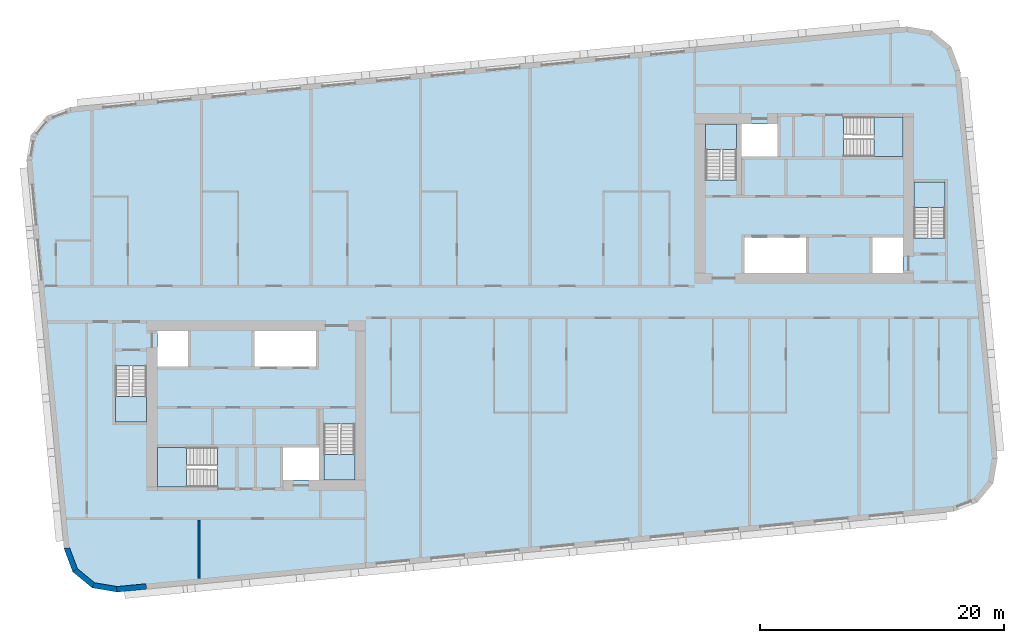
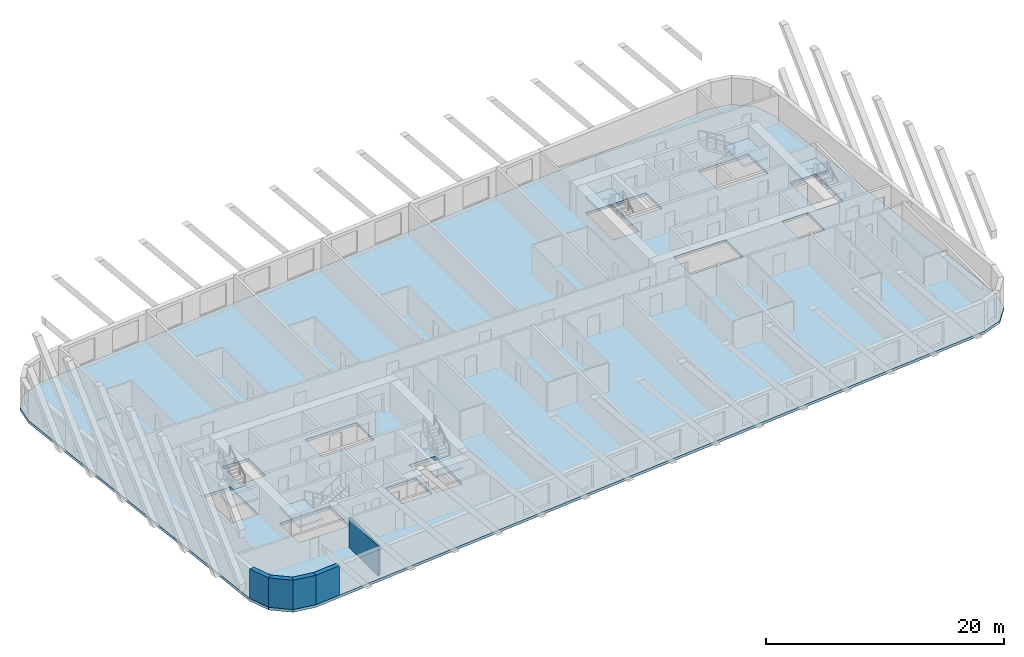
# One storey, part 1 of 12: 7 slabs, 5 walls, 6 elements without a shape of their own.
"""IFC4 building model written with IfcOpenShell, lengths in metres."""

from ifc_helpers import new_model, si_unit, direction, frame, frame_2d, origin, place, context, subcontext, project, spatial, polyline, rectangle, outline, extrude, material, layer, layer_set, type_object, element, aggregate, save


model = new_model("IFC4")

# Units and contexts
model_context = context("Model", 3, precision=1e-05, world=origin(), true_north=direction((0.0, 1.0)))
body_context = subcontext(model_context, "Body", "Model", "MODEL_VIEW")
ifc_project = project(units=[si_unit("LENGTHUNIT", "METRE"), si_unit("AREAUNIT", "SQUARE_METRE"), si_unit("VOLUMEUNIT", "CUBIC_METRE"), si_unit("PLANEANGLEUNIT", "RADIAN"), si_unit("MASSUNIT", "GRAM", prefix="KILO")], contexts=[model_context])

# Site, building, storey
site_placement = place(None, origin())
site = spatial("IfcSite", under=ifc_project, at=site_placement, CompositionType="ELEMENT")
building_placement = place(site_placement, origin())
building = spatial("IfcBuilding", under=site, at=building_placement, Name="Kajstack Hotel Tower", CompositionType="ELEMENT")
storey_placement = place(building_placement, frame((0.0, 0.0, 268.5)))
storey = spatial("IfcBuildingStorey", under=building, at=storey_placement, Name="L66", CompositionType="ELEMENT", Elevation=268.5)

# Slab
ifc_material_1 = material(Name="Concrete C40/50", Category="concrete")
ifc_layer_1 = layer(ifc_material_1, 0.280029296875)
ifc_layer_set_1 = layer_set([ifc_layer_1], Name="RC slab 280 C40/50 guest")
slab_type_1 = type_object("IfcSlabType", Name="RC slab 280 C40/50 guest", PredefinedType="FLOOR", material=ifc_layer_set_1)
slab_1_placement = place(storey_placement, frame((0.0, 0.0, -0.280029296875)))
element("IfcSlab", 1, at=slab_1_placement, inside=storey, type_object=slab_type_1, Name="S-slab-L66", PredefinedType="FLOOR", context=body_context, shape_type="SweptSolid", body=[
    extrude(outline(polyline([(-41.356201171875, 11.63623046875), (-38.289306640625, -20.21630859375), (-37.564208984375, -22.15576171875), (-35.96630859375, -23.472900390625), (-33.92431640625, -23.814697265625), (34.758056640625, -17.201171875), (36.697509765625, -16.47607421875), (38.014404296875, -14.87841796875), (38.356201171875, -12.836181640625), (35.289306640625, 19.016357421875), (34.564208984375, 20.955810546875), (32.96630859375, 22.27294921875), (30.92431640625, 22.614501953125), (-37.758056640625, 16.001220703125), (-39.697509765625, 15.276123046875), (-41.014404296875, 13.678466796875), (-41.356201171875, 11.63623046875)]), holes=[polyline([(-22.64990234375, -5.300048828125), (-22.64990234375, -2.39990234375), (-17.60009765625, -2.39990234375), (-17.60009765625, -5.300048828125), (-22.64990234375, -5.300048828125)]), polyline([(-20.300048828125, -14.60009765625), (-17.35009765625, -14.60009765625), (-17.35009765625, -11.949951171875), (-20.300048828125, -11.949951171875), (-20.300048828125, -14.60009765625)]), polyline([(-30.60009765625, -5.300048828125), (-28.10009765625, -5.300048828125), (-28.10009765625, -2.39990234375), (-30.60009765625, -2.39990234375), (-30.60009765625, -5.300048828125)]), polyline([(17.60009765625, 2.39990234375), (17.60009765625, 5.300048828125), (22.64990234375, 5.300048828125), (22.64990234375, 2.39990234375), (17.60009765625, 2.39990234375)]), polyline([(20.300048828125, 14.60009765625), (17.35009765625, 14.60009765625), (17.35009765625, 11.949951171875), (20.300048828125, 11.949951171875), (20.300048828125, 14.60009765625)]), polyline([(30.60009765625, 5.300048828125), (28.10009765625, 5.300048828125), (28.10009765625, 2.39990234375), (30.60009765625, 2.39990234375), (30.60009765625, 5.300048828125)]), polyline([(-34.050048828125, -9.85009765625), (-31.5, -9.85009765625), (-31.5, -5.25), (-34.050048828125, -5.25), (-34.050048828125, -9.85009765625)]), polyline([(-16.949951171875, -14.60009765625), (-14.39990234375, -14.60009765625), (-14.39990234375, -10.0), (-16.949951171875, -10.0), (-16.949951171875, -14.60009765625)]), polyline([(-30.60009765625, -15.199951171875), (-25.699951171875, -15.199951171875), (-25.699951171875, -11.949951171875), (-30.60009765625, -11.949951171875), (-30.60009765625, -15.199951171875)]), polyline([(34.050048828125, 9.85009765625), (31.5, 9.85009765625), (31.5, 5.25), (34.050048828125, 5.25), (34.050048828125, 9.85009765625)]), polyline([(16.949951171875, 14.60009765625), (14.39990234375, 14.60009765625), (14.39990234375, 10.0), (16.949951171875, 10.0), (16.949951171875, 14.60009765625)]), polyline([(30.60009765625, 15.199951171875), (25.699951171875, 15.199951171875), (25.699951171875, 11.949951171875), (30.60009765625, 11.949951171875), (30.60009765625, 15.199951171875)])]), origin(), (0.0, 0.0, 1.0), 0.280029296875),
])

# Stair, slab
stair_type_1 = type_object("IfcStairType", Name="Exit stair 1200", PredefinedType="HALF_TURN_STAIR", material=ifc_material_1)
stair_1_placement = place(storey_placement, origin())
stair_1 = element("IfcStair", 2, at=stair_1_placement, inside=storey, type_object=stair_type_1, Name="L66 stair W1", PredefinedType="HALF_TURN_STAIR")
ifc_layer_2 = layer(ifc_material_1, 0.199951171875)
ifc_layer_set_2 = layer_set([ifc_layer_2], Name="Stair landing 200")
slab_type_2 = type_object("IfcSlabType", Name="Stair landing 200", PredefinedType="LANDING", material=ifc_layer_set_2)
slab_2_placement = place(storey_placement, frame((0.0, 0.0, 1.449951171875)))
slab_2 = element("IfcSlab", 3, at=slab_2_placement, type_object=slab_type_2, Name="W1 landing 1", PredefinedType="LANDING", context=body_context, shape_type="SweptSolid", body=[
    extrude(outline(polyline([(-34.050048828125, -7.77001953125), (-34.050048828125, -9.85009765625), (-31.5, -9.85009765625), (-31.5, -7.77001953125), (-34.050048828125, -7.77001953125)])), origin(), (0.0, 0.0, 1.0), 0.199951171875),
])
aggregate(stair_1, [slab_2])

stair_2_placement = place(storey_placement, origin())
stair_2 = element("IfcStair", 4, at=stair_2_placement, inside=storey, type_object=stair_type_1, Name="L66 stair W2", PredefinedType="HALF_TURN_STAIR")
slab_3_placement = place(storey_placement, frame((0.0, 0.0, 1.449951171875)))
slab_3 = element("IfcSlab", 5, at=slab_3_placement, type_object=slab_type_2, Name="W2 landing 1", PredefinedType="LANDING", context=body_context, shape_type="SweptSolid", body=[
    extrude(outline(polyline([(-16.949951171875, -12.52001953125), (-16.949951171875, -14.60009765625), (-14.39990234375, -14.60009765625), (-14.39990234375, -12.52001953125), (-16.949951171875, -12.52001953125)])), origin(), (0.0, 0.0, 1.0), 0.199951171875),
])
aggregate(stair_2, [slab_3])

stair_type_2 = type_object("IfcStairType", Name="Exit stair 1500", PredefinedType="HALF_TURN_STAIR", material=ifc_material_1)
stair_3_placement = place(storey_placement, origin())
stair_3 = element("IfcStair", 6, at=stair_3_placement, inside=storey, type_object=stair_type_2, Name="L66 stair W3", PredefinedType="HALF_TURN_STAIR")
slab_4_placement = place(storey_placement, frame((0.0, 0.0, 1.449951171875)))
slab_4 = element("IfcSlab", 7, at=slab_4_placement, type_object=slab_type_2, Name="W3 landing 1", PredefinedType="LANDING", context=body_context, shape_type="SweptSolid", body=[
    extrude(outline(polyline([(-28.219970703125, -11.949951171875), (-30.60009765625, -11.949951171875), (-30.60009765625, -15.199951171875), (-28.219970703125, -15.199951171875), (-28.219970703125, -11.949951171875)])), origin(), (0.0, 0.0, 1.0), 0.199951171875),
])
aggregate(stair_3, [slab_4])

stair_4_placement = place(storey_placement, origin())
stair_4 = element("IfcStair", 8, at=stair_4_placement, inside=storey, type_object=stair_type_1, Name="L66 stair E1", PredefinedType="HALF_TURN_STAIR")
slab_5_placement = place(storey_placement, frame((0.0, 0.0, 1.449951171875)))
slab_5 = element("IfcSlab", 9, at=slab_5_placement, type_object=slab_type_2, Name="E1 landing 1", PredefinedType="LANDING", context=body_context, shape_type="SweptSolid", body=[
    extrude(outline(polyline([(34.050048828125, 7.77001953125), (34.050048828125, 9.85009765625), (31.5, 9.85009765625), (31.5, 7.77001953125), (34.050048828125, 7.77001953125)])), origin(), (0.0, 0.0, 1.0), 0.199951171875),
])
aggregate(stair_4, [slab_5])

stair_5_placement = place(storey_placement, origin())
stair_5 = element("IfcStair", 10, at=stair_5_placement, inside=storey, type_object=stair_type_1, Name="L66 stair E2", PredefinedType="HALF_TURN_STAIR")
slab_6_placement = place(storey_placement, frame((0.0, 0.0, 1.449951171875)))
slab_6 = element("IfcSlab", 11, at=slab_6_placement, type_object=slab_type_2, Name="E2 landing 1", PredefinedType="LANDING", context=body_context, shape_type="SweptSolid", body=[
    extrude(outline(polyline([(16.949951171875, 12.52001953125), (16.949951171875, 14.60009765625), (14.39990234375, 14.60009765625), (14.39990234375, 12.52001953125), (16.949951171875, 12.52001953125)])), origin(), (0.0, 0.0, 1.0), 0.199951171875),
])
aggregate(stair_5, [slab_6])

stair_6_placement = place(storey_placement, origin())
stair_6 = element("IfcStair", 12, at=stair_6_placement, inside=storey, type_object=stair_type_2, Name="L66 stair E3", PredefinedType="HALF_TURN_STAIR")
slab_7_placement = place(storey_placement, frame((0.0, 0.0, 1.449951171875)))
slab_7 = element("IfcSlab", 13, at=slab_7_placement, type_object=slab_type_2, Name="E3 landing 1", PredefinedType="LANDING", context=body_context, shape_type="SweptSolid", body=[
    extrude(outline(polyline([(28.219970703125, 11.949951171875), (30.60009765625, 11.949951171875), (30.60009765625, 15.199951171875), (28.219970703125, 15.199951171875), (28.219970703125, 11.949951171875)])), origin(), (0.0, 0.0, 1.0), 0.199951171875),
])
aggregate(stair_6, [slab_7])

# Walls
ifc_material_2 = material(Name="Terracotta-faced brick masonry", Category="masonry")
ifc_layer_3 = layer(ifc_material_2, 0.449951171875)
ifc_layer_set_3 = layer_set([ifc_layer_3], Name="EW-TERRA")
wall_type_1 = type_object("IfcWallType", Name="EW-TERRA", PredefinedType="SOLIDWALL", material=ifc_layer_set_3)
wall_1_placement = place(storey_placement, frame((-38.078369140625, -20.1376953125, 0.0), z_axis=(0.0, 0.0, 1.0), x_axis=(0.350231589928, -0.936663137642, 0.0)))
element("IfcWall", 14, at=wall_1_placement, inside=storey, type_object=wall_type_1, Name="E-wall-L66-01-00", PredefinedType="SOLIDWALL", context=body_context, shape_type="SweptSolid", body=[
    extrude(outline(polyline([(0.0, -0.22509765625), (2.0703125, -0.22509765625), (1.949951171875, 0.224853515625), (0.120361328125, 0.224853515625), (0.0, -0.22509765625)])), origin(), (0.0, 0.0, 1.0), 3.02001953125),
])
wall_2_placement = place(storey_placement, frame((-37.4208984375, -21.982177734375, 0.0), z_axis=(0.0, 0.0, 1.0), x_axis=(0.771593176315, -0.636116318187, 0.0)))
element("IfcWall", 15, at=wall_2_placement, inside=storey, type_object=wall_type_1, Name="E-wall-L66-02-00", PredefinedType="SOLIDWALL", context=body_context, shape_type="SweptSolid", body=[
    extrude(outline(polyline([(0.0, -0.22509765625), (2.070556640625, -0.22509765625), (1.949951171875, 0.22509765625), (0.12060546875, 0.224853515625), (0.0, -0.22509765625)])), origin(), (0.0, 0.0, 1.0), 3.02001953125),
])
wall_3_placement = place(storey_placement, frame((-35.92919921875, -23.2509765625, 0.0), z_axis=(0.0, 0.0, 1.0), x_axis=(0.986278951104, -0.165087342366, 0.0)))
element("IfcWall", 16, at=wall_3_placement, inside=storey, type_object=wall_type_1, Name="E-wall-L66-03-00", PredefinedType="SOLIDWALL", context=body_context, shape_type="SweptSolid", body=[
    extrude(outline(polyline([(0.0, -0.22509765625), (2.070556640625, -0.224853515625), (1.949951171875, 0.22509765625), (0.12060546875, 0.22509765625), (0.0, -0.22509765625)])), origin(), (0.0, 0.0, 1.0), 3.02001953125),
])
wall_4_placement = place(storey_placement, frame((-33.94580078125, -23.590576171875, 0.0), z_axis=(0.0, 0.0, 1.0), x_axis=(0.995397635156, 0.095830829729, 0.0)))
element("IfcWall", 17, at=wall_4_placement, inside=storey, type_object=wall_type_1, Name="E-wall-L66-04-00", PredefinedType="SOLIDWALL", context=body_context, shape_type="SweptSolid", body=[
    extrude(rectangle(XDim=2.435546875, YDim=0.449951171875, at=frame_2d((1.2177734375, 0.0))), origin(), (0.0, 0.0, 1.0), 3.02001953125),
])
ifc_material_3 = material(Name="Gypsum board on steel studs, mineral wool", Category="steel")
ifc_layer_4 = layer(ifc_material_3, 0.199951171875)
ifc_layer_set_4 = layer_set([ifc_layer_4], Name="Service partition 200")
wall_type_2 = type_object("IfcWallType", Name="Service partition 200", PredefinedType="PARTITIONING", material=ifc_layer_set_4)
wall_5_placement = place(storey_placement, frame((-27.199951171875, -22.716064453125, 0.0), z_axis=(0.0, 0.0, 1.0), x_axis=(0.0, 1.0, 0.0)))
element("IfcWall", 18, at=wall_5_placement, inside=storey, type_object=wall_type_2, Name="Partition W SLP0", PredefinedType="PARTITIONING", context=body_context, shape_type="SweptSolid", body=[
    extrude(rectangle(XDim=4.816162109375, YDim=0.199951171875, at=frame_2d((2.408203125, 0.0))), origin(), (0.0, 0.0, 1.0), 3.02001953125),
])

save(model, "model.ifc")
